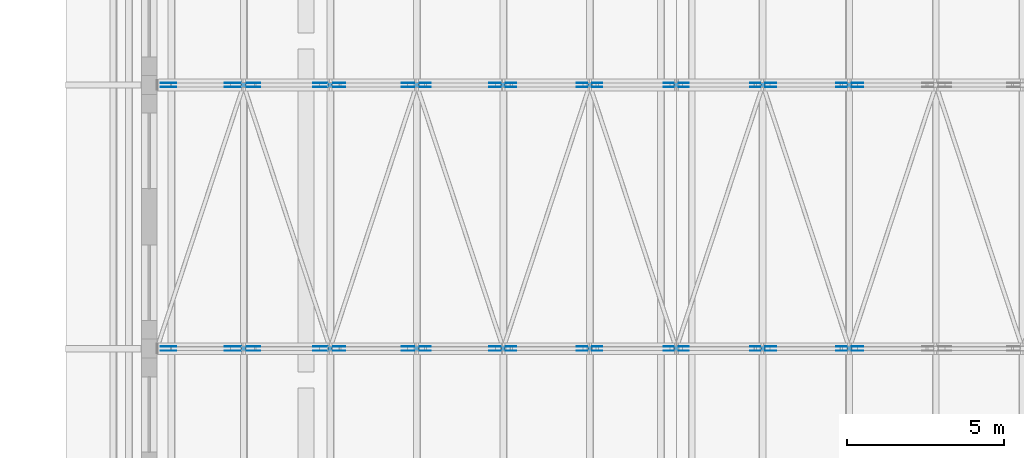
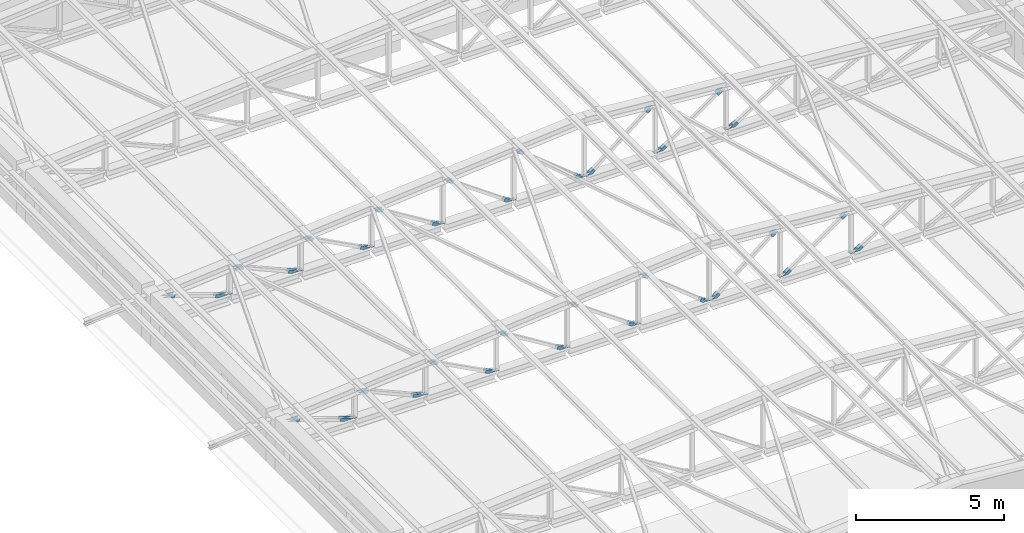
# One storey, part 48 of 60: 84 discrete accessories.
"""IFC4 building model written with IfcOpenShell, lengths in metres."""

from ifc_helpers import new_model, si_unit, direction, frame, origin, origin_2d, place, context, subcontext, project, spatial, polyline, rectangle, outline, extrude, material, layer, layer_set, type_object, element, save


model = new_model("IFC4")

# Units and contexts
model_context = context("Model", 3, precision=1e-05, world=origin(), true_north=direction((0.0, 1.0)))
body_context = subcontext(model_context, "Body", "Model", "MODEL_VIEW")
ifc_project = project(units=[si_unit("LENGTHUNIT", "METRE"), si_unit("AREAUNIT", "SQUARE_METRE"), si_unit("VOLUMEUNIT", "CUBIC_METRE"), si_unit("PLANEANGLEUNIT", "RADIAN"), si_unit("MASSUNIT", "GRAM", prefix="KILO")], contexts=[model_context])

# Site, building, storey
site_placement = place(None, origin())
site = spatial("IfcSite", under=ifc_project, at=site_placement, CompositionType="ELEMENT")
building_placement = place(site_placement, origin())
building = spatial("IfcBuilding", under=site, at=building_placement, Name="Ljudholm Concert House", CompositionType="ELEMENT")
storey_placement = place(building_placement, frame((0.0, 0.0, 15.0)))
storey = spatial("IfcBuildingStorey", under=building, at=storey_placement, Name="L03", CompositionType="ELEMENT", Elevation=15.0)

# Discrete accessories
ifc_material_1 = material(Name="Steel ASTM A36 plate", Category="steel")
ifc_layer_1 = layer(ifc_material_1, 0.011962890625)
ifc_layer_set_1 = layer_set([ifc_layer_1], Name="Steel ASTM A36 plate")
discrete_accessory_type_1 = type_object("IfcDiscreteAccessoryType", Name="GUSSET PLATE 12", PredefinedType="BRACKET", material=ifc_layer_set_1)
for number, where, z_axis, x_axis, name in (
    (1, (13.093994140625, 20.869384765625, -15.0), (0.0, 0.0, 1.0), (1.0, 0.0, 0.0), "Gusset plate"),
    (2, (13.093994140625, 20.73046875, -15.0), (0.0, 0.0, 1.0), (1.0, 0.0, 0.0), "Gusset plate"),
):
    element("IfcDiscreteAccessory", number, at=place(storey_placement, frame(where, z_axis=z_axis, x_axis=x_axis)), inside=storey, type_object=discrete_accessory_type_1, Name=name, PredefinedType="BRACKET", context=body_context, shape_type="SweptSolid", body=[
        extrude(outline(polyline([(0.12109375, 16.475341796875), (-0.32958984375, 16.631103515625), (-0.017578125, 16.65771484375), (0.16259765625, 16.595458984375), (0.12109375, 16.475341796875)])), frame((0.0, 0.005859375, 0.0), z_axis=(0.0, -1.0, 0.0), x_axis=(1.0, 0.0, 0.0)), (0.0, 0.0, 1.0), 0.011962890625),
    ])
for number, where, z_axis, x_axis, name in (
    (3, (13.093994140625, 20.869384765625, -15.0), (0.0, 0.0, 1.0), (1.0, 0.0, 0.0), "Gusset plate"),
    (4, (13.093994140625, 20.73046875, -15.0), (0.0, 0.0, 1.0), (1.0, 0.0, 0.0), "Gusset plate"),
):
    element("IfcDiscreteAccessory", number, at=place(storey_placement, frame(where, z_axis=z_axis, x_axis=x_axis)), inside=storey, type_object=discrete_accessory_type_1, Name=name, PredefinedType="BRACKET", context=body_context, shape_type="SweptSolid", body=[
        extrude(outline(polyline([(1.749267578125, 16.046875), (2.23828125, 15.877685546875), (1.849609375, 15.877685546875), (1.707763671875, 15.9267578125), (1.749267578125, 16.046875)])), frame((0.0, 0.005859375, 0.0), z_axis=(0.0, -1.0, 0.0), x_axis=(1.0, 0.0, 0.0)), (0.0, 0.0, 1.0), 0.011962890625),
    ])
for number, where, z_axis, x_axis, name in (
    (5, (15.777099609375, 20.869384765625, -15.0), (0.0, 0.0, 1.0), (1.0, 0.0, 0.0), "Gusset plate"),
    (6, (15.777099609375, 20.73046875, -15.0), (0.0, 0.0, 1.0), (1.0, 0.0, 0.0), "Gusset plate"),
):
    element("IfcDiscreteAccessory", number, at=place(storey_placement, frame(where, z_axis=z_axis, x_axis=x_axis)), inside=storey, type_object=discrete_accessory_type_1, Name=name, PredefinedType="BRACKET", context=body_context, shape_type="SweptSolid", body=[
        extrude(outline(polyline([(0.112060546875, 16.698486328125), (-0.2666015625, 16.863525390625), (-0.00048828125, 16.885986328125), (0.162841796875, 16.81494140625), (0.112060546875, 16.698486328125)])), frame((0.0, 0.005859375, 0.0), z_axis=(0.0, -1.0, 0.0), x_axis=(1.0, 0.0, 0.0)), (0.0, 0.0, 1.0), 0.011962890625),
    ])
for number, where, z_axis, x_axis, name in (
    (7, (15.777099609375, 20.869384765625, -15.0), (0.0, 0.0, 1.0), (1.0, 0.0, 0.0), "Gusset plate"),
    (8, (15.777099609375, 20.73046875, -15.0), (0.0, 0.0, 1.0), (1.0, 0.0, 0.0), "Gusset plate"),
):
    element("IfcDiscreteAccessory", number, at=place(storey_placement, frame(where, z_axis=z_axis, x_axis=x_axis)), inside=storey, type_object=discrete_accessory_type_1, Name=name, PredefinedType="BRACKET", context=body_context, shape_type="SweptSolid", body=[
        extrude(outline(polyline([(1.90869140625, 16.05419921875), (2.3134765625, 15.877685546875), (1.99560546875, 15.877685546875), (1.85791015625, 15.937744140625), (1.90869140625, 16.05419921875)])), frame((0.0, 0.005859375, 0.0), z_axis=(0.0, -1.0, 0.0), x_axis=(1.0, 0.0, 0.0)), (0.0, 0.0, 1.0), 0.011962890625),
    ])
for number, where, z_axis, x_axis, name in (
    (9, (18.48583984375, 20.869384765625, -15.0), (0.0, 0.0, 1.0), (1.0, 0.0, 0.0), "Gusset plate"),
    (10, (18.48583984375, 20.73046875, -15.0), (0.0, 0.0, 1.0), (1.0, 0.0, 0.0), "Gusset plate"),
):
    element("IfcDiscreteAccessory", number, at=place(storey_placement, frame(where, z_axis=z_axis, x_axis=x_axis)), inside=storey, type_object=discrete_accessory_type_1, Name=name, PredefinedType="BRACKET", context=body_context, shape_type="SweptSolid", body=[
        extrude(outline(polyline([(0.10302734375, 16.924072265625), (-0.22412109375, 17.09619140625), (0.0107421875, 17.1162109375), (0.162353515625, 17.036376953125), (0.10302734375, 16.924072265625)])), frame((0.0, 0.005859375, 0.0), z_axis=(0.0, -1.0, 0.0), x_axis=(1.0, 0.0, 0.0)), (0.0, 0.0, 1.0), 0.011962890625),
    ])
for number, where, z_axis, x_axis, name in (
    (11, (18.48583984375, 20.869384765625, -15.0), (0.0, 0.0, 1.0), (1.0, 0.0, 0.0), "Gusset plate"),
    (12, (18.48583984375, 20.73046875, -15.0), (0.0, 0.0, 1.0), (1.0, 0.0, 0.0), "Gusset plate"),
):
    element("IfcDiscreteAccessory", number, at=place(storey_placement, frame(where, z_axis=z_axis, x_axis=x_axis)), inside=storey, type_object=discrete_accessory_type_1, Name=name, PredefinedType="BRACKET", context=body_context, shape_type="SweptSolid", body=[
        extrude(outline(polyline([(2.0166015625, 16.06005859375), (2.36279296875, 15.877685546875), (2.09033203125, 15.877685546875), (1.95751953125, 15.94775390625), (2.0166015625, 16.06005859375)])), frame((0.0, 0.005859375, 0.0), z_axis=(0.0, -1.0, 0.0), x_axis=(1.0, 0.0, 0.0)), (0.0, 0.0, 1.0), 0.011962890625),
    ])
for number, where, z_axis, x_axis, name in (
    (13, (21.20947265625, 20.869384765625, -15.0), (0.0, 0.0, 1.0), (1.0, 0.0, 0.0), "Gusset plate"),
    (14, (21.20947265625, 20.73046875, -15.0), (0.0, 0.0, 1.0), (1.0, 0.0, 0.0), "Gusset plate"),
):
    element("IfcDiscreteAccessory", number, at=place(storey_placement, frame(where, z_axis=z_axis, x_axis=x_axis)), inside=storey, type_object=discrete_accessory_type_1, Name=name, PredefinedType="BRACKET", context=body_context, shape_type="SweptSolid", body=[
        extrude(outline(polyline([(0.09423828125, 17.1513671875), (-0.193603515625, 17.3291015625), (0.018798828125, 17.34716796875), (0.160888671875, 17.259521484375), (0.09423828125, 17.1513671875)])), frame((0.0, 0.005859375, 0.0), z_axis=(0.0, -1.0, 0.0), x_axis=(1.0, 0.0, 0.0)), (0.0, 0.0, 1.0), 0.011962890625),
    ])
for number, where, z_axis, x_axis, name in (
    (15, (21.20947265625, 20.869384765625, -15.0), (0.0, 0.0, 1.0), (1.0, 0.0, 0.0), "Gusset plate"),
    (16, (21.20947265625, 20.73046875, -15.0), (0.0, 0.0, 1.0), (1.0, 0.0, 0.0), "Gusset plate"),
):
    element("IfcDiscreteAccessory", number, at=place(storey_placement, frame(where, z_axis=z_axis, x_axis=x_axis)), inside=storey, type_object=discrete_accessory_type_1, Name=name, PredefinedType="BRACKET", context=body_context, shape_type="SweptSolid", body=[
        extrude(outline(polyline([(2.09521484375, 16.064697265625), (2.397705078125, 15.877685546875), (2.156005859375, 15.877685546875), (2.0283203125, 15.95654296875), (2.09521484375, 16.064697265625)])), frame((0.0, 0.005859375, 0.0), z_axis=(0.0, -1.0, 0.0), x_axis=(1.0, 0.0, 0.0)), (0.0, 0.0, 1.0), 0.011962890625),
    ])
for number, where, z_axis, x_axis, name in (
    (17, (23.9423828125, 20.869384765625, -15.0), (0.0, 0.0, 1.0), (1.0, 0.0, 0.0), "Gusset plate"),
    (18, (23.9423828125, 20.73046875, -15.0), (0.0, 0.0, 1.0), (1.0, 0.0, 0.0), "Gusset plate"),
):
    element("IfcDiscreteAccessory", number, at=place(storey_placement, frame(where, z_axis=z_axis, x_axis=x_axis)), inside=storey, type_object=discrete_accessory_type_1, Name=name, PredefinedType="BRACKET", context=body_context, shape_type="SweptSolid", body=[
        extrude(outline(polyline([(0.085693359375, 17.38037109375), (-0.171142578125, 17.562255859375), (0.02490234375, 17.578857421875), (0.1591796875, 17.48388671875), (0.085693359375, 17.38037109375)])), frame((0.0, 0.005859375, 0.0), z_axis=(0.0, -1.0, 0.0), x_axis=(1.0, 0.0, 0.0)), (0.0, 0.0, 1.0), 0.011962890625),
    ])
for number, where, z_axis, x_axis, name in (
    (19, (23.9423828125, 20.869384765625, -15.0), (0.0, 0.0, 1.0), (1.0, 0.0, 0.0), "Gusset plate"),
    (20, (23.9423828125, 20.73046875, -15.0), (0.0, 0.0, 1.0), (1.0, 0.0, 0.0), "Gusset plate"),
):
    element("IfcDiscreteAccessory", number, at=place(storey_placement, frame(where, z_axis=z_axis, x_axis=x_axis)), inside=storey, type_object=discrete_accessory_type_1, Name=name, PredefinedType="BRACKET", context=body_context, shape_type="SweptSolid", body=[
        extrude(outline(polyline([(2.15478515625, 16.068115234375), (2.423095703125, 15.877685546875), (2.20361328125, 15.877685546875), (2.081298828125, 15.964599609375), (2.15478515625, 16.068115234375)])), frame((0.0, 0.005859375, 0.0), z_axis=(0.0, -1.0, 0.0), x_axis=(1.0, 0.0, 0.0)), (0.0, 0.0, 1.0), 0.011962890625),
    ])
for number, where, z_axis, x_axis, name in (
    (21, (26.681396484375, 20.869384765625, -15.0), (0.0, 0.0, 1.0), (1.0, 0.0, 0.0), "Gusset plate"),
    (22, (26.681396484375, 20.73046875, -15.0), (0.0, 0.0, 1.0), (1.0, 0.0, 0.0), "Gusset plate"),
):
    element("IfcDiscreteAccessory", number, at=place(storey_placement, frame(where, z_axis=z_axis, x_axis=x_axis)), inside=storey, type_object=discrete_accessory_type_1, Name=name, PredefinedType="BRACKET", context=body_context, shape_type="SweptSolid", body=[
        extrude(outline(polyline([(0.077392578125, 17.6103515625), (-0.15380859375, 17.79541015625), (0.030029296875, 17.81103515625), (0.15673828125, 17.70947265625), (0.077392578125, 17.6103515625)])), frame((0.0, 0.005859375, 0.0), z_axis=(0.0, -1.0, 0.0), x_axis=(1.0, 0.0, 0.0)), (0.0, 0.0, 1.0), 0.011962890625),
    ])
for number, where, z_axis, x_axis, name in (
    (23, (26.681396484375, 20.869384765625, -15.0), (0.0, 0.0, 1.0), (1.0, 0.0, 0.0), "Gusset plate"),
    (24, (26.681396484375, 20.73046875, -15.0), (0.0, 0.0, 1.0), (1.0, 0.0, 0.0), "Gusset plate"),
):
    element("IfcDiscreteAccessory", number, at=place(storey_placement, frame(where, z_axis=z_axis, x_axis=x_axis)), inside=storey, type_object=discrete_accessory_type_1, Name=name, PredefinedType="BRACKET", context=body_context, shape_type="SweptSolid", body=[
        extrude(outline(polyline([(2.201904296875, 16.07080078125), (2.4423828125, 15.877685546875), (2.239501953125, 15.877685546875), (2.122314453125, 15.9716796875), (2.201904296875, 16.07080078125)])), frame((0.0, 0.005859375, 0.0), z_axis=(0.0, -1.0, 0.0), x_axis=(1.0, 0.0, 0.0)), (0.0, 0.0, 1.0), 0.011962890625),
    ])
for number, where, z_axis, x_axis, name in (
    (25, (29.439697265625, 20.869384765625, -15.0), (0.0, 0.0, 1.0), (1.0, 0.0, 0.0), "Gusset plate"),
    (26, (29.439697265625, 20.73046875, -15.0), (0.0, 0.0, 1.0), (1.0, 0.0, 0.0), "Gusset plate"),
):
    element("IfcDiscreteAccessory", number, at=place(storey_placement, frame(where, z_axis=z_axis, x_axis=x_axis)), inside=storey, type_object=discrete_accessory_type_1, Name=name, PredefinedType="BRACKET", context=body_context, shape_type="SweptSolid", body=[
        extrude(outline(polyline([(0.15673828125, 15.9716796875), (0.039794921875, 15.877685546875), (-0.163330078125, 15.877685546875), (0.077392578125, 16.07080078125), (0.15673828125, 15.9716796875)])), frame((0.0, 0.005859375, 0.0), z_axis=(0.0, -1.0, 0.0), x_axis=(1.0, 0.0, 0.0)), (0.0, 0.0, 1.0), 0.011962890625),
    ])
for number, where, z_axis, x_axis, name in (
    (27, (29.439697265625, 20.869384765625, -15.0), (0.0, 0.0, 1.0), (1.0, 0.0, 0.0), "Gusset plate"),
    (28, (29.439697265625, 20.73046875, -15.0), (0.0, 0.0, 1.0), (1.0, 0.0, 0.0), "Gusset plate"),
):
    element("IfcDiscreteAccessory", number, at=place(storey_placement, frame(where, z_axis=z_axis, x_axis=x_axis)), inside=storey, type_object=discrete_accessory_type_1, Name=name, PredefinedType="BRACKET", context=body_context, shape_type="SweptSolid", body=[
        extrude(outline(polyline([(2.122314453125, 17.70947265625), (2.2490234375, 17.81103515625), (2.432861328125, 17.79541015625), (2.201904296875, 17.6103515625), (2.122314453125, 17.70947265625)])), frame((0.0, 0.005859375, 0.0), z_axis=(0.0, -1.0, 0.0), x_axis=(1.0, 0.0, 0.0)), (0.0, 0.0, 1.0), 0.011962890625),
    ])
for number, where, z_axis, x_axis, name in (
    (29, (32.21728515625, 20.869384765625, -15.0), (0.0, 0.0, 1.0), (1.0, 0.0, 0.0), "Gusset plate"),
    (30, (32.21728515625, 20.73046875, -15.0), (0.0, 0.0, 1.0), (1.0, 0.0, 0.0), "Gusset plate"),
):
    element("IfcDiscreteAccessory", number, at=place(storey_placement, frame(where, z_axis=z_axis, x_axis=x_axis)), inside=storey, type_object=discrete_accessory_type_1, Name=name, PredefinedType="BRACKET", context=body_context, shape_type="SweptSolid", body=[
        extrude(outline(polyline([(0.1591796875, 15.964599609375), (0.03662109375, 15.877685546875), (-0.182861328125, 15.877685546875), (0.085693359375, 16.068115234375), (0.1591796875, 15.964599609375)])), frame((0.0, 0.005859375, 0.0), z_axis=(0.0, -1.0, 0.0), x_axis=(1.0, 0.0, 0.0)), (0.0, 0.0, 1.0), 0.011962890625),
    ])
for number, where, z_axis, x_axis, name in (
    (31, (32.21728515625, 20.869384765625, -15.0), (0.0, 0.0, 1.0), (1.0, 0.0, 0.0), "Gusset plate"),
    (32, (32.21728515625, 20.73046875, -15.0), (0.0, 0.0, 1.0), (1.0, 0.0, 0.0), "Gusset plate"),
):
    element("IfcDiscreteAccessory", number, at=place(storey_placement, frame(where, z_axis=z_axis, x_axis=x_axis)), inside=storey, type_object=discrete_accessory_type_1, Name=name, PredefinedType="BRACKET", context=body_context, shape_type="SweptSolid", body=[
        extrude(outline(polyline([(2.081298828125, 17.48388671875), (2.21533203125, 17.578857421875), (2.41162109375, 17.562255859375), (2.15478515625, 17.38037109375), (2.081298828125, 17.48388671875)])), frame((0.0, 0.005859375, 0.0), z_axis=(0.0, -1.0, 0.0), x_axis=(1.0, 0.0, 0.0)), (0.0, 0.0, 1.0), 0.011962890625),
    ])
for number, where, z_axis, x_axis, name in (
    (33, (35.001220703125, 20.869384765625, -15.0), (0.0, 0.0, 1.0), (1.0, 0.0, 0.0), "Gusset plate"),
    (34, (35.001220703125, 20.73046875, -15.0), (0.0, 0.0, 1.0), (1.0, 0.0, 0.0), "Gusset plate"),
):
    element("IfcDiscreteAccessory", number, at=place(storey_placement, frame(where, z_axis=z_axis, x_axis=x_axis)), inside=storey, type_object=discrete_accessory_type_1, Name=name, PredefinedType="BRACKET", context=body_context, shape_type="SweptSolid", body=[
        extrude(outline(polyline([(0.160888671875, 15.95654296875), (0.033447265625, 15.877685546875), (-0.208251953125, 15.877685546875), (0.09423828125, 16.064697265625), (0.160888671875, 15.95654296875)])), frame((0.0, 0.005859375, 0.0), z_axis=(0.0, -1.0, 0.0), x_axis=(1.0, 0.0, 0.0)), (0.0, 0.0, 1.0), 0.011962890625),
    ])
for number, where, z_axis, x_axis, name in (
    (35, (13.093994140625, 29.26953125, -15.0), (0.0, 0.0, 1.0), (1.0, 0.0, 0.0), "Gusset plate"),
    (36, (13.093994140625, 29.130615234375, -15.0), (0.0, 0.0, 1.0), (1.0, 0.0, 0.0), "Gusset plate"),
):
    element("IfcDiscreteAccessory", number, at=place(storey_placement, frame(where, z_axis=z_axis, x_axis=x_axis)), inside=storey, type_object=discrete_accessory_type_1, Name=name, PredefinedType="BRACKET", context=body_context, shape_type="SweptSolid", body=[
        extrude(outline(polyline([(0.12109375, 16.475341796875), (-0.32958984375, 16.631103515625), (-0.017578125, 16.65771484375), (0.16259765625, 16.595458984375), (0.12109375, 16.475341796875)])), frame((0.0, 0.005859375, 0.0), z_axis=(0.0, -1.0, 0.0), x_axis=(1.0, 0.0, 0.0)), (0.0, 0.0, 1.0), 0.011962890625),
    ])
for number, where, z_axis, x_axis, name in (
    (37, (13.093994140625, 29.26953125, -15.0), (0.0, 0.0, 1.0), (1.0, 0.0, 0.0), "Gusset plate"),
    (38, (13.093994140625, 29.130615234375, -15.0), (0.0, 0.0, 1.0), (1.0, 0.0, 0.0), "Gusset plate"),
):
    element("IfcDiscreteAccessory", number, at=place(storey_placement, frame(where, z_axis=z_axis, x_axis=x_axis)), inside=storey, type_object=discrete_accessory_type_1, Name=name, PredefinedType="BRACKET", context=body_context, shape_type="SweptSolid", body=[
        extrude(outline(polyline([(1.749267578125, 16.046875), (2.23828125, 15.877685546875), (1.849609375, 15.877685546875), (1.707763671875, 15.9267578125), (1.749267578125, 16.046875)])), frame((0.0, 0.005859375, 0.0), z_axis=(0.0, -1.0, 0.0), x_axis=(1.0, 0.0, 0.0)), (0.0, 0.0, 1.0), 0.011962890625),
    ])
for number, where, z_axis, x_axis, name in (
    (39, (15.777099609375, 29.26953125, -15.0), (0.0, 0.0, 1.0), (1.0, 0.0, 0.0), "Gusset plate"),
    (40, (15.777099609375, 29.130615234375, -15.0), (0.0, 0.0, 1.0), (1.0, 0.0, 0.0), "Gusset plate"),
):
    element("IfcDiscreteAccessory", number, at=place(storey_placement, frame(where, z_axis=z_axis, x_axis=x_axis)), inside=storey, type_object=discrete_accessory_type_1, Name=name, PredefinedType="BRACKET", context=body_context, shape_type="SweptSolid", body=[
        extrude(outline(polyline([(0.112060546875, 16.698486328125), (-0.2666015625, 16.863525390625), (-0.00048828125, 16.885986328125), (0.162841796875, 16.81494140625), (0.112060546875, 16.698486328125)])), frame((0.0, 0.005859375, 0.0), z_axis=(0.0, -1.0, 0.0), x_axis=(1.0, 0.0, 0.0)), (0.0, 0.0, 1.0), 0.011962890625),
    ])
for number, where, z_axis, x_axis, name in (
    (41, (15.777099609375, 29.26953125, -15.0), (0.0, 0.0, 1.0), (1.0, 0.0, 0.0), "Gusset plate"),
    (42, (15.777099609375, 29.130615234375, -15.0), (0.0, 0.0, 1.0), (1.0, 0.0, 0.0), "Gusset plate"),
):
    element("IfcDiscreteAccessory", number, at=place(storey_placement, frame(where, z_axis=z_axis, x_axis=x_axis)), inside=storey, type_object=discrete_accessory_type_1, Name=name, PredefinedType="BRACKET", context=body_context, shape_type="SweptSolid", body=[
        extrude(outline(polyline([(1.90869140625, 16.05419921875), (2.3134765625, 15.877685546875), (1.99560546875, 15.877685546875), (1.85791015625, 15.937744140625), (1.90869140625, 16.05419921875)])), frame((0.0, 0.005859375, 0.0), z_axis=(0.0, -1.0, 0.0), x_axis=(1.0, 0.0, 0.0)), (0.0, 0.0, 1.0), 0.011962890625),
    ])
for number, where, z_axis, x_axis, name in (
    (43, (18.48583984375, 29.26953125, -15.0), (0.0, 0.0, 1.0), (1.0, 0.0, 0.0), "Gusset plate"),
    (44, (18.48583984375, 29.130615234375, -15.0), (0.0, 0.0, 1.0), (1.0, 0.0, 0.0), "Gusset plate"),
):
    element("IfcDiscreteAccessory", number, at=place(storey_placement, frame(where, z_axis=z_axis, x_axis=x_axis)), inside=storey, type_object=discrete_accessory_type_1, Name=name, PredefinedType="BRACKET", context=body_context, shape_type="SweptSolid", body=[
        extrude(outline(polyline([(0.10302734375, 16.924072265625), (-0.22412109375, 17.09619140625), (0.0107421875, 17.1162109375), (0.162353515625, 17.036376953125), (0.10302734375, 16.924072265625)])), frame((0.0, 0.005859375, 0.0), z_axis=(0.0, -1.0, 0.0), x_axis=(1.0, 0.0, 0.0)), (0.0, 0.0, 1.0), 0.011962890625),
    ])
for number, where, z_axis, x_axis, name in (
    (45, (18.48583984375, 29.26953125, -15.0), (0.0, 0.0, 1.0), (1.0, 0.0, 0.0), "Gusset plate"),
    (46, (18.48583984375, 29.130615234375, -15.0), (0.0, 0.0, 1.0), (1.0, 0.0, 0.0), "Gusset plate"),
):
    element("IfcDiscreteAccessory", number, at=place(storey_placement, frame(where, z_axis=z_axis, x_axis=x_axis)), inside=storey, type_object=discrete_accessory_type_1, Name=name, PredefinedType="BRACKET", context=body_context, shape_type="SweptSolid", body=[
        extrude(outline(polyline([(2.0166015625, 16.06005859375), (2.36279296875, 15.877685546875), (2.09033203125, 15.877685546875), (1.95751953125, 15.94775390625), (2.0166015625, 16.06005859375)])), frame((0.0, 0.005859375, 0.0), z_axis=(0.0, -1.0, 0.0), x_axis=(1.0, 0.0, 0.0)), (0.0, 0.0, 1.0), 0.011962890625),
    ])
for number, where, z_axis, x_axis, name in (
    (47, (21.20947265625, 29.26953125, -15.0), (0.0, 0.0, 1.0), (1.0, 0.0, 0.0), "Gusset plate"),
    (48, (21.20947265625, 29.130615234375, -15.0), (0.0, 0.0, 1.0), (1.0, 0.0, 0.0), "Gusset plate"),
):
    element("IfcDiscreteAccessory", number, at=place(storey_placement, frame(where, z_axis=z_axis, x_axis=x_axis)), inside=storey, type_object=discrete_accessory_type_1, Name=name, PredefinedType="BRACKET", context=body_context, shape_type="SweptSolid", body=[
        extrude(outline(polyline([(0.09423828125, 17.1513671875), (-0.193603515625, 17.3291015625), (0.018798828125, 17.34716796875), (0.160888671875, 17.259521484375), (0.09423828125, 17.1513671875)])), frame((0.0, 0.005859375, 0.0), z_axis=(0.0, -1.0, 0.0), x_axis=(1.0, 0.0, 0.0)), (0.0, 0.0, 1.0), 0.011962890625),
    ])
for number, where, z_axis, x_axis, name in (
    (49, (21.20947265625, 29.26953125, -15.0), (0.0, 0.0, 1.0), (1.0, 0.0, 0.0), "Gusset plate"),
    (50, (21.20947265625, 29.130615234375, -15.0), (0.0, 0.0, 1.0), (1.0, 0.0, 0.0), "Gusset plate"),
):
    element("IfcDiscreteAccessory", number, at=place(storey_placement, frame(where, z_axis=z_axis, x_axis=x_axis)), inside=storey, type_object=discrete_accessory_type_1, Name=name, PredefinedType="BRACKET", context=body_context, shape_type="SweptSolid", body=[
        extrude(outline(polyline([(2.09521484375, 16.064697265625), (2.397705078125, 15.877685546875), (2.156005859375, 15.877685546875), (2.0283203125, 15.95654296875), (2.09521484375, 16.064697265625)])), frame((0.0, 0.005859375, 0.0), z_axis=(0.0, -1.0, 0.0), x_axis=(1.0, 0.0, 0.0)), (0.0, 0.0, 1.0), 0.011962890625),
    ])
for number, where, z_axis, x_axis, name in (
    (51, (23.9423828125, 29.26953125, -15.0), (0.0, 0.0, 1.0), (1.0, 0.0, 0.0), "Gusset plate"),
    (52, (23.9423828125, 29.130615234375, -15.0), (0.0, 0.0, 1.0), (1.0, 0.0, 0.0), "Gusset plate"),
):
    element("IfcDiscreteAccessory", number, at=place(storey_placement, frame(where, z_axis=z_axis, x_axis=x_axis)), inside=storey, type_object=discrete_accessory_type_1, Name=name, PredefinedType="BRACKET", context=body_context, shape_type="SweptSolid", body=[
        extrude(outline(polyline([(0.085693359375, 17.38037109375), (-0.171142578125, 17.562255859375), (0.02490234375, 17.578857421875), (0.1591796875, 17.48388671875), (0.085693359375, 17.38037109375)])), frame((0.0, 0.005859375, 0.0), z_axis=(0.0, -1.0, 0.0), x_axis=(1.0, 0.0, 0.0)), (0.0, 0.0, 1.0), 0.011962890625),
    ])
for number, where, z_axis, x_axis, name in (
    (53, (23.9423828125, 29.26953125, -15.0), (0.0, 0.0, 1.0), (1.0, 0.0, 0.0), "Gusset plate"),
    (54, (23.9423828125, 29.130615234375, -15.0), (0.0, 0.0, 1.0), (1.0, 0.0, 0.0), "Gusset plate"),
):
    element("IfcDiscreteAccessory", number, at=place(storey_placement, frame(where, z_axis=z_axis, x_axis=x_axis)), inside=storey, type_object=discrete_accessory_type_1, Name=name, PredefinedType="BRACKET", context=body_context, shape_type="SweptSolid", body=[
        extrude(outline(polyline([(2.15478515625, 16.068115234375), (2.423095703125, 15.877685546875), (2.20361328125, 15.877685546875), (2.081298828125, 15.964599609375), (2.15478515625, 16.068115234375)])), frame((0.0, 0.005859375, 0.0), z_axis=(0.0, -1.0, 0.0), x_axis=(1.0, 0.0, 0.0)), (0.0, 0.0, 1.0), 0.011962890625),
    ])
for number, where, z_axis, x_axis, name in (
    (55, (26.681396484375, 29.26953125, -15.0), (0.0, 0.0, 1.0), (1.0, 0.0, 0.0), "Gusset plate"),
    (56, (26.681396484375, 29.130615234375, -15.0), (0.0, 0.0, 1.0), (1.0, 0.0, 0.0), "Gusset plate"),
):
    element("IfcDiscreteAccessory", number, at=place(storey_placement, frame(where, z_axis=z_axis, x_axis=x_axis)), inside=storey, type_object=discrete_accessory_type_1, Name=name, PredefinedType="BRACKET", context=body_context, shape_type="SweptSolid", body=[
        extrude(outline(polyline([(0.077392578125, 17.6103515625), (-0.15380859375, 17.79541015625), (0.030029296875, 17.81103515625), (0.15673828125, 17.70947265625), (0.077392578125, 17.6103515625)])), frame((0.0, 0.005859375, 0.0), z_axis=(0.0, -1.0, 0.0), x_axis=(1.0, 0.0, 0.0)), (0.0, 0.0, 1.0), 0.011962890625),
    ])
for number, where, z_axis, x_axis, name in (
    (57, (26.681396484375, 29.26953125, -15.0), (0.0, 0.0, 1.0), (1.0, 0.0, 0.0), "Gusset plate"),
    (58, (26.681396484375, 29.130615234375, -15.0), (0.0, 0.0, 1.0), (1.0, 0.0, 0.0), "Gusset plate"),
):
    element("IfcDiscreteAccessory", number, at=place(storey_placement, frame(where, z_axis=z_axis, x_axis=x_axis)), inside=storey, type_object=discrete_accessory_type_1, Name=name, PredefinedType="BRACKET", context=body_context, shape_type="SweptSolid", body=[
        extrude(outline(polyline([(2.201904296875, 16.07080078125), (2.4423828125, 15.877685546875), (2.239501953125, 15.877685546875), (2.122314453125, 15.9716796875), (2.201904296875, 16.07080078125)])), frame((0.0, 0.005859375, 0.0), z_axis=(0.0, -1.0, 0.0), x_axis=(1.0, 0.0, 0.0)), (0.0, 0.0, 1.0), 0.011962890625),
    ])
for number, where, z_axis, x_axis, name in (
    (59, (29.439697265625, 29.26953125, -15.0), (0.0, 0.0, 1.0), (1.0, 0.0, 0.0), "Gusset plate"),
    (60, (29.439697265625, 29.130615234375, -15.0), (0.0, 0.0, 1.0), (1.0, 0.0, 0.0), "Gusset plate"),
):
    element("IfcDiscreteAccessory", number, at=place(storey_placement, frame(where, z_axis=z_axis, x_axis=x_axis)), inside=storey, type_object=discrete_accessory_type_1, Name=name, PredefinedType="BRACKET", context=body_context, shape_type="SweptSolid", body=[
        extrude(outline(polyline([(0.15673828125, 15.9716796875), (0.039794921875, 15.877685546875), (-0.163330078125, 15.877685546875), (0.077392578125, 16.07080078125), (0.15673828125, 15.9716796875)])), frame((0.0, 0.005859375, 0.0), z_axis=(0.0, -1.0, 0.0), x_axis=(1.0, 0.0, 0.0)), (0.0, 0.0, 1.0), 0.011962890625),
    ])
for number, where, z_axis, x_axis, name in (
    (61, (29.439697265625, 29.26953125, -15.0), (0.0, 0.0, 1.0), (1.0, 0.0, 0.0), "Gusset plate"),
    (62, (29.439697265625, 29.130615234375, -15.0), (0.0, 0.0, 1.0), (1.0, 0.0, 0.0), "Gusset plate"),
):
    element("IfcDiscreteAccessory", number, at=place(storey_placement, frame(where, z_axis=z_axis, x_axis=x_axis)), inside=storey, type_object=discrete_accessory_type_1, Name=name, PredefinedType="BRACKET", context=body_context, shape_type="SweptSolid", body=[
        extrude(outline(polyline([(2.122314453125, 17.70947265625), (2.2490234375, 17.81103515625), (2.432861328125, 17.79541015625), (2.201904296875, 17.6103515625), (2.122314453125, 17.70947265625)])), frame((0.0, 0.005859375, 0.0), z_axis=(0.0, -1.0, 0.0), x_axis=(1.0, 0.0, 0.0)), (0.0, 0.0, 1.0), 0.011962890625),
    ])
for number, where, z_axis, x_axis, name in (
    (63, (32.21728515625, 29.26953125, -15.0), (0.0, 0.0, 1.0), (1.0, 0.0, 0.0), "Gusset plate"),
    (64, (32.21728515625, 29.130615234375, -15.0), (0.0, 0.0, 1.0), (1.0, 0.0, 0.0), "Gusset plate"),
):
    element("IfcDiscreteAccessory", number, at=place(storey_placement, frame(where, z_axis=z_axis, x_axis=x_axis)), inside=storey, type_object=discrete_accessory_type_1, Name=name, PredefinedType="BRACKET", context=body_context, shape_type="SweptSolid", body=[
        extrude(outline(polyline([(0.1591796875, 15.964599609375), (0.03662109375, 15.877685546875), (-0.182861328125, 15.877685546875), (0.085693359375, 16.068115234375), (0.1591796875, 15.964599609375)])), frame((0.0, 0.005859375, 0.0), z_axis=(0.0, -1.0, 0.0), x_axis=(1.0, 0.0, 0.0)), (0.0, 0.0, 1.0), 0.011962890625),
    ])
for number, where, z_axis, x_axis, name in (
    (65, (32.21728515625, 29.26953125, -15.0), (0.0, 0.0, 1.0), (1.0, 0.0, 0.0), "Gusset plate"),
    (66, (32.21728515625, 29.130615234375, -15.0), (0.0, 0.0, 1.0), (1.0, 0.0, 0.0), "Gusset plate"),
):
    element("IfcDiscreteAccessory", number, at=place(storey_placement, frame(where, z_axis=z_axis, x_axis=x_axis)), inside=storey, type_object=discrete_accessory_type_1, Name=name, PredefinedType="BRACKET", context=body_context, shape_type="SweptSolid", body=[
        extrude(outline(polyline([(2.081298828125, 17.48388671875), (2.21533203125, 17.578857421875), (2.41162109375, 17.562255859375), (2.15478515625, 17.38037109375), (2.081298828125, 17.48388671875)])), frame((0.0, 0.005859375, 0.0), z_axis=(0.0, -1.0, 0.0), x_axis=(1.0, 0.0, 0.0)), (0.0, 0.0, 1.0), 0.011962890625),
    ])
for number, where, z_axis, x_axis, name in (
    (67, (35.001220703125, 29.26953125, -15.0), (0.0, 0.0, 1.0), (1.0, 0.0, 0.0), "Gusset plate"),
    (68, (35.001220703125, 29.130615234375, -15.0), (0.0, 0.0, 1.0), (1.0, 0.0, 0.0), "Gusset plate"),
):
    element("IfcDiscreteAccessory", number, at=place(storey_placement, frame(where, z_axis=z_axis, x_axis=x_axis)), inside=storey, type_object=discrete_accessory_type_1, Name=name, PredefinedType="BRACKET", context=body_context, shape_type="SweptSolid", body=[
        extrude(outline(polyline([(0.160888671875, 15.95654296875), (0.033447265625, 15.877685546875), (-0.208251953125, 15.877685546875), (0.09423828125, 16.064697265625), (0.160888671875, 15.95654296875)])), frame((0.0, 0.005859375, 0.0), z_axis=(0.0, -1.0, 0.0), x_axis=(1.0, 0.0, 0.0)), (0.0, 0.0, 1.0), 0.011962890625),
    ])
ifc_material_2 = material(Name="Steel ASTM A36 plate", Category="steel")
ifc_layer_2 = layer(ifc_material_2, 0.01806640625)
ifc_layer_set_2 = layer_set([ifc_layer_2], Name="Steel ASTM A36 plate")
discrete_accessory_type_2 = type_object("IfcDiscreteAccessoryType", Name="SPLICE PLATE 18", PredefinedType="BRACKET", material=ifc_layer_set_2)
for number, where, z_axis, x_axis, name in (
    (69, (15.408203125, 20.800048828125, 0.85986328125), (0.0, 0.0, 1.0), (1.0, 0.0, 0.0), "Chord splice plate"),
    (70, (18.166748046875, 20.800048828125, 0.85986328125), (0.0, 0.0, 1.0), (1.0, 0.0, 0.0), "Chord splice plate"),
    (71, (20.925048828125, 20.800048828125, 0.85986328125), (0.0, 0.0, 1.0), (1.0, 0.0, 0.0), "Chord splice plate"),
    (72, (23.683349609375, 20.800048828125, 0.85986328125), (0.0, 0.0, 1.0), (1.0, 0.0, 0.0), "Chord splice plate"),
    (73, (26.441650390625, 20.800048828125, 0.85986328125), (0.0, 0.0, 1.0), (1.0, 0.0, 0.0), "Chord splice plate"),
    (74, (29.199951171875, 20.800048828125, 0.85986328125), (0.0, 0.0, 1.0), (1.0, 0.0, 0.0), "Chord splice plate"),
    (75, (31.958251953125, 20.800048828125, 0.85986328125), (0.0, 0.0, 1.0), (1.0, 0.0, 0.0), "Chord splice plate"),
    (76, (34.716796875, 20.800048828125, 0.85986328125), (0.0, 0.0, 1.0), (1.0, 0.0, 0.0), "Chord splice plate"),
    (77, (15.408203125, 29.199951171875, 0.85986328125), (0.0, 0.0, 1.0), (1.0, 0.0, 0.0), "Chord splice plate"),
    (78, (18.166748046875, 29.199951171875, 0.85986328125), (0.0, 0.0, 1.0), (1.0, 0.0, 0.0), "Chord splice plate"),
    (79, (20.925048828125, 29.199951171875, 0.85986328125), (0.0, 0.0, 1.0), (1.0, 0.0, 0.0), "Chord splice plate"),
    (80, (23.683349609375, 29.199951171875, 0.85986328125), (0.0, 0.0, 1.0), (1.0, 0.0, 0.0), "Chord splice plate"),
    (81, (26.441650390625, 29.199951171875, 0.85986328125), (0.0, 0.0, 1.0), (1.0, 0.0, 0.0), "Chord splice plate"),
    (82, (29.199951171875, 29.199951171875, 0.85986328125), (0.0, 0.0, 1.0), (1.0, 0.0, 0.0), "Chord splice plate"),
    (83, (31.958251953125, 29.199951171875, 0.85986328125), (0.0, 0.0, 1.0), (1.0, 0.0, 0.0), "Chord splice plate"),
    (84, (34.716796875, 29.199951171875, 0.85986328125), (0.0, 0.0, 1.0), (1.0, 0.0, 0.0), "Chord splice plate"),
):
    element("IfcDiscreteAccessory", number, at=place(storey_placement, frame(where, z_axis=z_axis, x_axis=x_axis)), inside=storey, type_object=discrete_accessory_type_2, Name=name, PredefinedType="BRACKET", context=body_context, shape_type="SweptSolid", body=[
        extrude(rectangle(XDim=0.1240234375, YDim=0.15234375, at=origin_2d()), origin(), (0.0, 0.0, 1.0), 0.01806640625),
    ])

save(model, "model.ifc")
